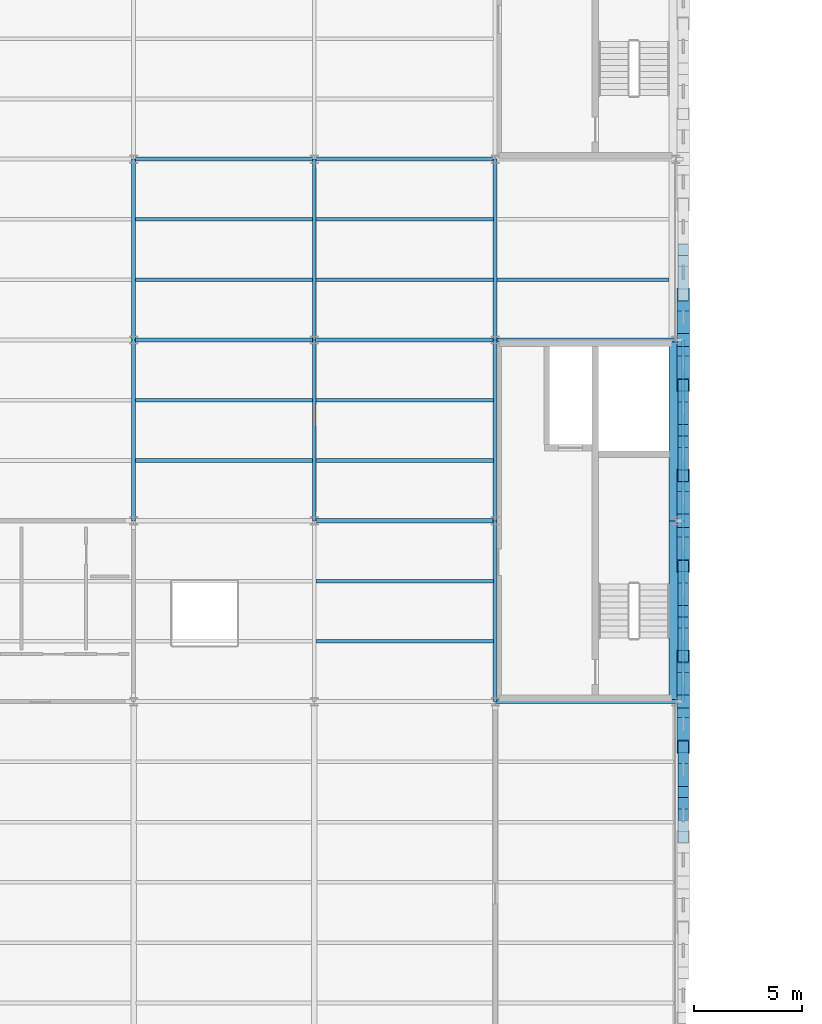
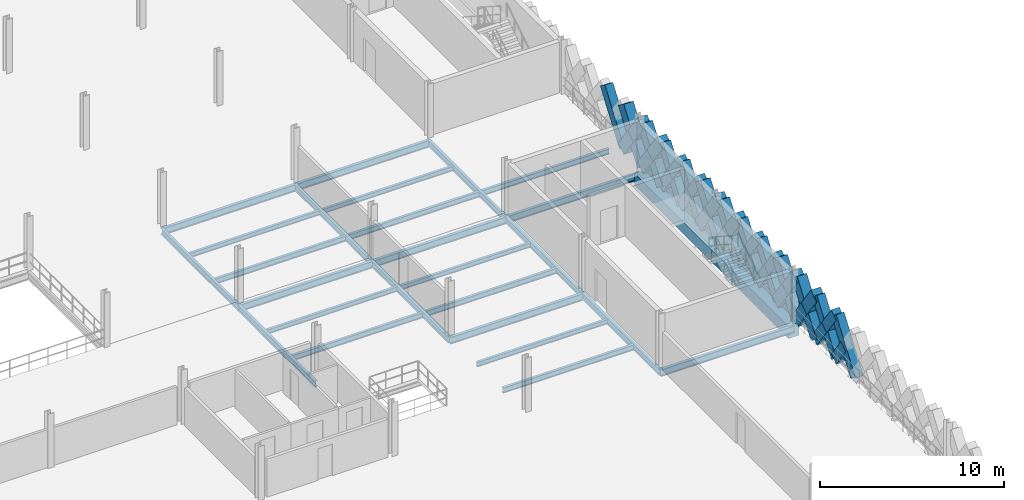
# One storey, part 21 of 62: 38 members, 27 beams.
"""IFC4 building model written with IfcOpenShell, lengths in metres."""

from ifc_helpers import new_model, si_unit, direction, frame, origin, origin_2d, place, context, subcontext, project, spatial, rectangle, hollow_rectangle, i_section, extrude, material, material_profile, profile_set, type_object, element, save


model = new_model("IFC4")

# Units and contexts
model_context = context("Model", 3, precision=1e-05, world=origin(), true_north=direction((0.0, 1.0)))
body_context = subcontext(model_context, "Body", "Model", "MODEL_VIEW")
ifc_project = project(units=[si_unit("LENGTHUNIT", "METRE"), si_unit("AREAUNIT", "SQUARE_METRE"), si_unit("VOLUMEUNIT", "CUBIC_METRE"), si_unit("PLANEANGLEUNIT", "RADIAN"), si_unit("MASSUNIT", "GRAM", prefix="KILO"), si_unit("THERMODYNAMICTEMPERATUREUNIT", "KELVIN"), si_unit("POWERUNIT", "WATT")], contexts=[model_context])

# Site, building, storey
site_placement = place(None, origin())
site = spatial("IfcSite", under=ifc_project, at=site_placement, CompositionType="ELEMENT")
building_placement = place(site_placement, origin())
building = spatial("IfcBuilding", under=site, at=building_placement, Name="Tembeka Court Mobility Hub", CompositionType="ELEMENT")
storey_placement = place(building_placement, frame((0.0, 0.0, 16.199951171875)))
storey = spatial("IfcBuildingStorey", under=building, at=storey_placement, Name="L04", CompositionType="ELEMENT", Elevation=16.199951171875)

# Beams
ifc_material_1 = material(Name="Steel S355", Category="steel")
ifc_material_profile_1 = material_profile(ifc_material_1, i_section(OverallWidth=0.18994140625, OverallDepth=0.45703125, WebThickness=0.009033203125, FlangeThickness=0.014404296875, FilletRadius=0.01025390625, at=origin_2d()), Name="UKB 457x191x74")
ifc_profile_set_1 = profile_set([ifc_material_profile_1], Name="Steel S355")
beam_type_1 = type_object("IfcBeamType", Name="BM-B01", PredefinedType="BEAM", material=ifc_profile_set_1)
for number, where, z_axis, x_axis, name in (
    (1, (84.0, 38.39990234375, -0.448486328125), (1.0, 0.0, 0.0), (0.0, 1.0, 0.0), "Beam B01 (BM-L04-X2231)"),
    (2, (75.60009765625, 46.800048828125, -0.448486328125), (1.0, 0.0, 0.0), (0.0, 1.0, 0.0), "Beam B01 (BM-L04-X2242)"),
):
    element("IfcBeam", number, at=place(storey_placement, frame(where, z_axis=z_axis, x_axis=x_axis)), inside=storey, type_object=beam_type_1, Name=name, PredefinedType="BEAM", context=body_context, shape_type="SweptSolid", body=[
        extrude(i_section(OverallWidth=0.18994140625, OverallDepth=0.45703125, WebThickness=0.009033203125, FlangeThickness=0.014404296875, FilletRadius=0.01025390625, at=origin_2d()), origin(), (0.0, 0.0, 1.0), 8.39990234375),
    ])
beam_1_placement = place(storey_placement, frame((67.199951171875, 55.199951171875, -0.448486328125), z_axis=(1.0, 0.0, 0.0), x_axis=(0.0, 1.0, 0.0)))
element("IfcBeam", 3, at=beam_1_placement, inside=storey, type_object=beam_type_1, Name="Beam B01 (BM-L04-X2253)", PredefinedType="BEAM", context=body_context, shape_type="SweptSolid", body=[
    extrude(i_section(OverallWidth=0.18994140625, OverallDepth=0.45703125, WebThickness=0.009033203125, FlangeThickness=0.014404296875, FilletRadius=0.01025390625, at=origin_2d()), origin(), (0.0, 0.0, 1.0), 8.400146484375),
])
for number, where, z_axis, x_axis, name in (
    (4, (75.60009765625, 55.199951171875, -0.448486328125), (1.0, 0.0, 0.0), (0.0, 1.0, 0.0), "Beam B01 (BM-L04-X2254)"),
    (5, (84.0, 55.199951171875, -0.448486328125), (1.0, 0.0, 0.0), (0.0, 1.0, 0.0), "Beam B01 (BM-L04-X2255)"),
):
    element("IfcBeam", number, at=place(storey_placement, frame(where, z_axis=z_axis, x_axis=x_axis)), inside=storey, type_object=beam_type_1, Name=name, PredefinedType="BEAM", context=body_context, shape_type="SweptSolid", body=[
        extrude(i_section(OverallWidth=0.18994140625, OverallDepth=0.45703125, WebThickness=0.009033203125, FlangeThickness=0.014404296875, FilletRadius=0.01025390625, at=origin_2d()), origin(), (0.0, 0.0, 1.0), 8.39990234375),
    ])
beam_2_placement = place(storey_placement, frame((67.199951171875, 63.60009765625, -0.448486328125), z_axis=(1.0, 0.0, 0.0), x_axis=(0.0, 1.0, 0.0)))
element("IfcBeam", 6, at=beam_2_placement, inside=storey, type_object=beam_type_1, Name="Beam B01 (BM-L04-X2265)", PredefinedType="BEAM", context=body_context, shape_type="SweptSolid", body=[
    extrude(i_section(OverallWidth=0.18994140625, OverallDepth=0.45703125, WebThickness=0.009033203125, FlangeThickness=0.014404296875, FilletRadius=0.01025390625, at=origin_2d()), origin(), (0.0, 0.0, 1.0), 8.400146484375),
])
beam_3_placement = place(storey_placement, frame((75.60009765625, 63.60009765625, -0.448486328125), z_axis=(1.0, 0.0, 0.0), x_axis=(0.0, 1.0, 0.0)))
element("IfcBeam", 7, at=beam_3_placement, inside=storey, type_object=beam_type_1, Name="Beam B01 (BM-L04-X2266)", PredefinedType="BEAM", context=body_context, shape_type="SweptSolid", body=[
    extrude(i_section(OverallWidth=0.18994140625, OverallDepth=0.45703125, WebThickness=0.009033203125, FlangeThickness=0.014404296875, FilletRadius=0.01025390625, at=origin_2d()), origin(), (0.0, 0.0, 1.0), 8.39990234375),
])
ifc_material_profile_2 = material_profile(ifc_material_1, i_section(OverallWidth=0.177978515625, OverallDepth=0.406005859375, WebThickness=0.0078125, FlangeThickness=0.0126953125, FilletRadius=0.01025390625, at=origin_2d()), Name="UKB 406x178x60")
ifc_profile_set_2 = profile_set([ifc_material_profile_2], Name="Steel S355")
beam_type_2 = type_object("IfcBeamType", Name="BM-B02", PredefinedType="BEAM", material=ifc_profile_set_2)
beam_4_placement = place(storey_placement, frame((67.199951171875, 46.800048828125, -0.4228515625), z_axis=(0.0, 1.0, 0.0), x_axis=(-1.0, 0.0, 0.0)))
element("IfcBeam", 8, at=beam_4_placement, inside=storey, type_object=beam_type_2, Name="Beam B02 (BM-L04-Y2384)", PredefinedType="BEAM", context=body_context, shape_type="SweptSolid", body=[
    extrude(i_section(OverallWidth=0.177978515625, OverallDepth=0.406005859375, WebThickness=0.0078125, FlangeThickness=0.0126953125, FilletRadius=0.01025390625, at=origin_2d()), origin(), (0.0, 0.0, 1.0), 8.39990234375),
])
beam_5_placement = place(storey_placement, frame((67.199951171875, 55.199951171875, -0.4228515625), z_axis=(0.0, 1.0, 0.0), x_axis=(-1.0, 0.0, 0.0)))
element("IfcBeam", 9, at=beam_5_placement, inside=storey, type_object=beam_type_2, Name="Beam B02 (BM-L04-Y2385)", PredefinedType="BEAM", context=body_context, shape_type="SweptSolid", body=[
    extrude(i_section(OverallWidth=0.177978515625, OverallDepth=0.406005859375, WebThickness=0.0078125, FlangeThickness=0.0126953125, FilletRadius=0.01025390625, at=origin_2d()), origin(), (0.0, 0.0, 1.0), 8.400146484375),
])
beam_6_placement = place(storey_placement, frame((75.60009765625, 46.800048828125, -0.4228515625), z_axis=(0.0, 1.0, 0.0), x_axis=(-1.0, 0.0, 0.0)))
element("IfcBeam", 10, at=beam_6_placement, inside=storey, type_object=beam_type_2, Name="Beam B02 (BM-L04-Y2391)", PredefinedType="BEAM", context=body_context, shape_type="SweptSolid", body=[
    extrude(i_section(OverallWidth=0.177978515625, OverallDepth=0.406005859375, WebThickness=0.0078125, FlangeThickness=0.0126953125, FilletRadius=0.01025390625, at=origin_2d()), origin(), (0.0, 0.0, 1.0), 8.39990234375),
])
for number, where, z_axis, x_axis, name in (
    (11, (75.60009765625, 55.199951171875, -0.4228515625), (0.0, 1.0, 0.0), (-1.0, 0.0, 0.0), "Beam B02 (BM-L04-Y2392)"),
    (12, (84.0, 38.39990234375, -0.4228515625), (0.0, 1.0, 0.0), (-1.0, 0.0, 0.0), "Beam B02 (BM-L04-Y2399)"),
):
    element("IfcBeam", number, at=place(storey_placement, frame(where, z_axis=z_axis, x_axis=x_axis)), inside=storey, type_object=beam_type_2, Name=name, PredefinedType="BEAM", context=body_context, shape_type="SweptSolid", body=[
        extrude(i_section(OverallWidth=0.177978515625, OverallDepth=0.406005859375, WebThickness=0.0078125, FlangeThickness=0.0126953125, FilletRadius=0.01025390625, at=origin_2d()), origin(), (0.0, 0.0, 1.0), 8.400146484375),
    ])
beam_7_placement = place(storey_placement, frame((84.0, 46.800048828125, -0.4228515625), z_axis=(0.0, 1.0, 0.0), x_axis=(-1.0, 0.0, 0.0)))
element("IfcBeam", 13, at=beam_7_placement, inside=storey, type_object=beam_type_2, Name="Beam B02 (BM-L04-Y2400)", PredefinedType="BEAM", context=body_context, shape_type="SweptSolid", body=[
    extrude(i_section(OverallWidth=0.177978515625, OverallDepth=0.406005859375, WebThickness=0.0078125, FlangeThickness=0.0126953125, FilletRadius=0.01025390625, at=origin_2d()), origin(), (0.0, 0.0, 1.0), 8.39990234375),
])
beam_8_placement = place(storey_placement, frame((84.0, 55.199951171875, -0.4228515625), z_axis=(0.0, 1.0, 0.0), x_axis=(-1.0, 0.0, 0.0)))
element("IfcBeam", 14, at=beam_8_placement, inside=storey, type_object=beam_type_2, Name="Beam B02 (BM-L04-Y2401)", PredefinedType="BEAM", context=body_context, shape_type="SweptSolid", body=[
    extrude(i_section(OverallWidth=0.177978515625, OverallDepth=0.406005859375, WebThickness=0.0078125, FlangeThickness=0.0126953125, FilletRadius=0.01025390625, at=origin_2d()), origin(), (0.0, 0.0, 1.0), 8.400146484375),
])
ifc_material_profile_3 = material_profile(ifc_material_1, i_section(OverallWidth=0.1650390625, OverallDepth=0.303955078125, WebThickness=0.006103515625, FlangeThickness=0.01025390625, FilletRadius=0.0087890625, at=origin_2d()), Name="UKB 305x165x40")
ifc_profile_set_3 = profile_set([ifc_material_profile_3], Name="Steel S355")
beam_type_3 = type_object("IfcBeamType", Name="BM-J02", PredefinedType="JOIST", material=ifc_profile_set_3)
for number, where, z_axis, x_axis, name in (
    (15, (67.283935546875, 52.39990234375, -0.3720703125), (1.0, 0.0, 0.0), (0.0, 1.0, 0.0), "Beam J02 (JST-L04-2590)"),
    (16, (67.283935546875, 60.800048828125, -0.3720703125), (1.0, 0.0, 0.0), (0.0, 1.0, 0.0), "Beam J02 (JST-L04-2592)"),
):
    element("IfcBeam", number, at=place(storey_placement, frame(where, z_axis=z_axis, x_axis=x_axis)), inside=storey, type_object=beam_type_3, Name=name, PredefinedType="JOIST", context=body_context, shape_type="SweptSolid", body=[
        extrude(i_section(OverallWidth=0.1650390625, OverallDepth=0.303955078125, WebThickness=0.006103515625, FlangeThickness=0.01025390625, FilletRadius=0.0087890625, at=origin_2d()), origin(), (0.0, 0.0, 1.0), 8.232177734375),
    ])
for number, where, z_axis, x_axis, name in (
    (17, (75.68408203125, 44.0, -0.3720703125), (1.0, 0.0, 0.0), (0.0, 1.0, 0.0), "Beam J02 (JST-L04-2608)"),
    (18, (75.68408203125, 52.39990234375, -0.3720703125), (1.0, 0.0, 0.0), (0.0, 1.0, 0.0), "Beam J02 (JST-L04-2610)"),
    (19, (75.68408203125, 60.800048828125, -0.3720703125), (1.0, 0.0, 0.0), (0.0, 1.0, 0.0), "Beam J02 (JST-L04-2612)"),
):
    element("IfcBeam", number, at=place(storey_placement, frame(where, z_axis=z_axis, x_axis=x_axis)), inside=storey, type_object=beam_type_3, Name=name, PredefinedType="JOIST", context=body_context, shape_type="SweptSolid", body=[
        extrude(i_section(OverallWidth=0.1650390625, OverallDepth=0.303955078125, WebThickness=0.006103515625, FlangeThickness=0.01025390625, FilletRadius=0.0087890625, at=origin_2d()), origin(), (0.0, 0.0, 1.0), 8.23193359375),
    ])
ifc_material_profile_4 = material_profile(ifc_material_1, i_section(OverallWidth=0.169921875, OverallDepth=0.360107421875, WebThickness=0.008056640625, FlangeThickness=0.0126953125, FilletRadius=0.01806640625, at=origin_2d()), Name="IPE 360")
ifc_profile_set_4 = profile_set([ifc_material_profile_4], Name="Steel S355")
beam_type_4 = type_object("IfcBeamType", Name="BM-J03", PredefinedType="JOIST", material=ifc_profile_set_4)
for number, where, z_axis, x_axis, name in (
    (20, (67.283935546875, 49.60009765625, -0.39990234375), (1.0, 0.0, 0.0), (0.0, 1.0, 0.0), "Beam J03 (JST-L04-2589)"),
    (21, (67.283935546875, 58.0, -0.39990234375), (1.0, 0.0, 0.0), (0.0, 1.0, 0.0), "Beam J03 (JST-L04-2591)"),
):
    element("IfcBeam", number, at=place(storey_placement, frame(where, z_axis=z_axis, x_axis=x_axis)), inside=storey, type_object=beam_type_4, Name=name, PredefinedType="JOIST", context=body_context, shape_type="SweptSolid", body=[
        extrude(i_section(OverallWidth=0.169921875, OverallDepth=0.360107421875, WebThickness=0.008056640625, FlangeThickness=0.0126953125, FilletRadius=0.01806640625, at=origin_2d()), origin(), (0.0, 0.0, 1.0), 8.232177734375),
    ])
for number, where, z_axis, x_axis, name in (
    (22, (75.68408203125, 41.199951171875, -0.39990234375), (1.0, 0.0, 0.0), (0.0, 1.0, 0.0), "Beam J03 (JST-L04-2607)"),
    (23, (75.68408203125, 49.60009765625, -0.39990234375), (1.0, 0.0, 0.0), (0.0, 1.0, 0.0), "Beam J03 (JST-L04-2609)"),
    (24, (75.68408203125, 58.0, -0.39990234375), (1.0, 0.0, 0.0), (0.0, 1.0, 0.0), "Beam J03 (JST-L04-2611)"),
):
    element("IfcBeam", number, at=place(storey_placement, frame(where, z_axis=z_axis, x_axis=x_axis)), inside=storey, type_object=beam_type_4, Name=name, PredefinedType="JOIST", context=body_context, shape_type="SweptSolid", body=[
        extrude(i_section(OverallWidth=0.169921875, OverallDepth=0.360107421875, WebThickness=0.008056640625, FlangeThickness=0.0126953125, FilletRadius=0.01806640625, at=origin_2d()), origin(), (0.0, 0.0, 1.0), 8.23193359375),
    ])
beam_9_placement = place(storey_placement, frame((84.083984375, 58.0, -0.39990234375), z_axis=(1.0, 0.0, 0.0), x_axis=(0.0, 1.0, 0.0)))
element("IfcBeam", 25, at=beam_9_placement, inside=storey, type_object=beam_type_4, Name="Beam J03 (JST-L04-2627)", PredefinedType="JOIST", context=body_context, shape_type="SweptSolid", body=[
    extrude(i_section(OverallWidth=0.169921875, OverallDepth=0.360107421875, WebThickness=0.008056640625, FlangeThickness=0.0126953125, FilletRadius=0.01806640625, at=origin_2d()), origin(), (0.0, 0.0, 1.0), 7.99609375),
])
ifc_material_2 = material(Name="Precast concrete C45/55", Category="concrete")
ifc_material_profile_5 = material_profile(ifc_material_2, rectangle(XDim=0.64990234375, YDim=0.800048828125, at=origin_2d()), Name="PC-SP 650x800")
ifc_profile_set_5 = profile_set([ifc_material_profile_5], Name="Precast concrete C45/55")
beam_type_5 = type_object("IfcBeamType", Name="BM-SP01", PredefinedType="SPANDREL", material=ifc_profile_set_5)
beam_10_placement = place(storey_placement, frame((92.39990234375, 38.39990234375, -0.619873046875), z_axis=(0.0, 1.0, 0.0), x_axis=(-1.0, 0.0, 0.0)))
element("IfcBeam", 26, at=beam_10_placement, inside=storey, type_object=beam_type_5, Name="Beam SP01 (BM-L04-Y2410)", PredefinedType="SPANDREL", context=body_context, shape_type="SweptSolid", body=[
    extrude(rectangle(XDim=0.64990234375, YDim=0.800048828125, at=origin_2d()), origin(), (0.0, 0.0, 1.0), 8.400146484375),
])
beam_11_placement = place(storey_placement, frame((92.39990234375, 46.800048828125, -0.619873046875), z_axis=(0.0, 1.0, 0.0), x_axis=(-1.0, 0.0, 0.0)))
element("IfcBeam", 27, at=beam_11_placement, inside=storey, type_object=beam_type_5, Name="Beam SP01 (BM-L04-Y2411)", PredefinedType="SPANDREL", context=body_context, shape_type="SweptSolid", body=[
    extrude(rectangle(XDim=0.64990234375, YDim=0.800048828125, at=origin_2d()), origin(), (0.0, 0.0, 1.0), 8.39990234375),
])

# Members
ifc_material_profile_6 = material_profile(ifc_material_2, rectangle(XDim=0.5, YDim=0.64990234375, at=origin_2d()), Name="PC-DIAG 500x650")
ifc_profile_set_6 = profile_set([ifc_material_profile_6], Name="Precast concrete C45/55")
member_type_1 = type_object("IfcMemberType", Name="MEM-DL01", PredefinedType="BRACE", material=ifc_profile_set_6)
member_1_placement = place(storey_placement, frame((92.739990234375, 32.10009765625, 0.02001953125), z_axis=(0.0, 0.58253161945, 0.812808041509), x_axis=(-1.0, 0.0, 0.0)))
element("IfcMember", 28, at=member_1_placement, inside=storey, type_object=member_type_1, Name="Precast diamond lattice continuous strand DL01 (L04-748C)", PredefinedType="BRACE", context=body_context, shape_type="SweptSolid", body=[
    extrude(rectangle(XDim=0.5, YDim=0.64990234375, at=origin_2d()), origin(), (0.0, 0.0, 1.0), 3.604736328125),
])
member_2_placement = place(storey_placement, frame((92.739990234375, 34.199951171875, 0.02001953125), z_axis=(0.0, -0.582544294934, 0.812798956963), x_axis=(1.0, 0.0, 0.0)))
element("IfcMember", 29, at=member_2_placement, inside=storey, type_object=member_type_1, Name="Precast diamond lattice split lower strand DL01 (L04-748D1)", PredefinedType="BRACE", context=body_context, shape_type="SweptSolid", body=[
    extrude(rectangle(XDim=0.5, YDim=0.64990234375, at=origin_2d()), origin(), (0.0, 0.0, 1.0), 1.802490234375),
])
member_3_placement = place(storey_placement, frame((92.739990234375, 34.199951171875, 0.02001953125), z_axis=(0.0, 0.582576362011, 0.812775973086), x_axis=(-1.0, 0.0, 0.0)))
element("IfcMember", 30, at=member_3_placement, inside=storey, type_object=member_type_1, Name="Precast diamond lattice continuous strand DL01 (L04-749C)", PredefinedType="BRACE", context=body_context, shape_type="SweptSolid", body=[
    extrude(rectangle(XDim=0.5, YDim=0.64990234375, at=origin_2d()), origin(), (0.0, 0.0, 1.0), 3.604736328125),
])
member_4_placement = place(storey_placement, frame((92.739990234375, 36.300048828125, 0.02001953125), z_axis=(0.0, -0.582544294934, 0.812798956963), x_axis=(1.0, 0.0, 0.0)))
element("IfcMember", 31, at=member_4_placement, inside=storey, type_object=member_type_1, Name="Precast diamond lattice split lower strand DL01 (L04-749D1)", PredefinedType="BRACE", context=body_context, shape_type="SweptSolid", body=[
    extrude(rectangle(XDim=0.5, YDim=0.64990234375, at=origin_2d()), origin(), (0.0, 0.0, 1.0), 1.802490234375),
])
member_5_placement = place(storey_placement, frame((92.739990234375, 35.25, 1.485107421875), z_axis=(0.0, -0.582608431711, 0.812752985414), x_axis=(1.0, 0.0, 0.0)))
element("IfcMember", 32, at=member_5_placement, inside=storey, type_object=member_type_1, Name="Precast diamond lattice split upper strand DL01 (L04-749D2)", PredefinedType="BRACE", context=body_context, shape_type="SweptSolid", body=[
    extrude(rectangle(XDim=0.5, YDim=0.64990234375, at=origin_2d()), origin(), (0.0, 0.0, 1.0), 1.80224609375),
])
member_6_placement = place(storey_placement, frame((92.739990234375, 40.5, 0.02001953125), z_axis=(0.0, 0.582576362011, 0.812775973086), x_axis=(-1.0, 0.0, 0.0)))
element("IfcMember", 33, at=member_6_placement, inside=storey, type_object=member_type_1, Name="Precast diamond lattice continuous strand DL01 (L04-752C)", PredefinedType="BRACE", context=body_context, shape_type="SweptSolid", body=[
    extrude(rectangle(XDim=0.5, YDim=0.64990234375, at=origin_2d()), origin(), (0.0, 0.0, 1.0), 3.604736328125),
])
member_7_placement = place(storey_placement, frame((92.739990234375, 42.60009765625, 0.02001953125), z_axis=(0.0, -0.582544294934, 0.812798956963), x_axis=(1.0, 0.0, 0.0)))
element("IfcMember", 34, at=member_7_placement, inside=storey, type_object=member_type_1, Name="Precast diamond lattice split lower strand DL01 (L04-752D1)", PredefinedType="BRACE", context=body_context, shape_type="SweptSolid", body=[
    extrude(rectangle(XDim=0.5, YDim=0.64990234375, at=origin_2d()), origin(), (0.0, 0.0, 1.0), 1.802490234375),
])
member_8_placement = place(storey_placement, frame((92.739990234375, 41.550048828125, 1.485107421875), z_axis=(0.0, -0.582608431711, 0.812752985414), x_axis=(1.0, 0.0, 0.0)))
element("IfcMember", 35, at=member_8_placement, inside=storey, type_object=member_type_1, Name="Precast diamond lattice split upper strand DL01 (L04-752D2)", PredefinedType="BRACE", context=body_context, shape_type="SweptSolid", body=[
    extrude(rectangle(XDim=0.5, YDim=0.64990234375, at=origin_2d()), origin(), (0.0, 0.0, 1.0), 1.80224609375),
])
member_9_placement = place(storey_placement, frame((92.739990234375, 42.60009765625, 0.02001953125), z_axis=(0.0, 0.58253161945, 0.812808041509), x_axis=(-1.0, 0.0, 0.0)))
element("IfcMember", 36, at=member_9_placement, inside=storey, type_object=member_type_1, Name="Precast diamond lattice continuous strand DL01 (L04-753C)", PredefinedType="BRACE", context=body_context, shape_type="SweptSolid", body=[
    extrude(rectangle(XDim=0.5, YDim=0.64990234375, at=origin_2d()), origin(), (0.0, 0.0, 1.0), 3.604736328125),
])
member_10_placement = place(storey_placement, frame((92.739990234375, 44.699951171875, 0.02001953125), z_axis=(0.0, -0.582544294934, 0.812798956963), x_axis=(1.0, 0.0, 0.0)))
element("IfcMember", 37, at=member_10_placement, inside=storey, type_object=member_type_1, Name="Precast diamond lattice split lower strand DL01 (L04-753D1)", PredefinedType="BRACE", context=body_context, shape_type="SweptSolid", body=[
    extrude(rectangle(XDim=0.5, YDim=0.64990234375, at=origin_2d()), origin(), (0.0, 0.0, 1.0), 1.802490234375),
])
member_11_placement = place(storey_placement, frame((92.739990234375, 43.64990234375, 1.485107421875), z_axis=(0.0, -0.582518941428, 0.812817127574), x_axis=(1.0, 0.0, 0.0)))
element("IfcMember", 38, at=member_11_placement, inside=storey, type_object=member_type_1, Name="Precast diamond lattice split upper strand DL01 (L04-753D2)", PredefinedType="BRACE", context=body_context, shape_type="SweptSolid", body=[
    extrude(rectangle(XDim=0.5, YDim=0.64990234375, at=origin_2d()), origin(), (0.0, 0.0, 1.0), 1.80224609375),
])
member_12_placement = place(storey_placement, frame((92.739990234375, 48.89990234375, 0.02001953125), z_axis=(0.0, 0.582576362011, 0.812775973086), x_axis=(-1.0, 0.0, 0.0)))
element("IfcMember", 39, at=member_12_placement, inside=storey, type_object=member_type_1, Name="Precast diamond lattice continuous strand DL01 (L04-756C)", PredefinedType="BRACE", context=body_context, shape_type="SweptSolid", body=[
    extrude(rectangle(XDim=0.5, YDim=0.64990234375, at=origin_2d()), origin(), (0.0, 0.0, 1.0), 3.604736328125),
])
member_13_placement = place(storey_placement, frame((92.739990234375, 51.0, 0.02001953125), z_axis=(0.0, -0.582544294934, 0.812798956963), x_axis=(1.0, 0.0, 0.0)))
element("IfcMember", 40, at=member_13_placement, inside=storey, type_object=member_type_1, Name="Precast diamond lattice split lower strand DL01 (L04-756D1)", PredefinedType="BRACE", context=body_context, shape_type="SweptSolid", body=[
    extrude(rectangle(XDim=0.5, YDim=0.64990234375, at=origin_2d()), origin(), (0.0, 0.0, 1.0), 1.802490234375),
])
member_14_placement = place(storey_placement, frame((92.739990234375, 49.949951171875, 1.485107421875), z_axis=(0.0, -0.582608431711, 0.812752985414), x_axis=(1.0, 0.0, 0.0)))
element("IfcMember", 41, at=member_14_placement, inside=storey, type_object=member_type_1, Name="Precast diamond lattice split upper strand DL01 (L04-756D2)", PredefinedType="BRACE", context=body_context, shape_type="SweptSolid", body=[
    extrude(rectangle(XDim=0.5, YDim=0.64990234375, at=origin_2d()), origin(), (0.0, 0.0, 1.0), 1.80224609375),
])
member_15_placement = place(storey_placement, frame((92.739990234375, 51.0, 0.02001953125), z_axis=(0.0, 0.582576362011, 0.812775973086), x_axis=(-1.0, 0.0, 0.0)))
element("IfcMember", 42, at=member_15_placement, inside=storey, type_object=member_type_1, Name="Precast diamond lattice continuous strand DL01 (L04-757C)", PredefinedType="BRACE", context=body_context, shape_type="SweptSolid", body=[
    extrude(rectangle(XDim=0.5, YDim=0.64990234375, at=origin_2d()), origin(), (0.0, 0.0, 1.0), 3.604736328125),
])
member_16_placement = place(storey_placement, frame((92.739990234375, 53.10009765625, 0.02001953125), z_axis=(0.0, -0.582544294934, 0.812798956963), x_axis=(1.0, 0.0, 0.0)))
element("IfcMember", 43, at=member_16_placement, inside=storey, type_object=member_type_1, Name="Precast diamond lattice split lower strand DL01 (L04-757D1)", PredefinedType="BRACE", context=body_context, shape_type="SweptSolid", body=[
    extrude(rectangle(XDim=0.5, YDim=0.64990234375, at=origin_2d()), origin(), (0.0, 0.0, 1.0), 1.802490234375),
])
member_17_placement = place(storey_placement, frame((92.739990234375, 52.050048828125, 1.485107421875), z_axis=(0.0, -0.582608431711, 0.812752985414), x_axis=(1.0, 0.0, 0.0)))
element("IfcMember", 44, at=member_17_placement, inside=storey, type_object=member_type_1, Name="Precast diamond lattice split upper strand DL01 (L04-757D2)", PredefinedType="BRACE", context=body_context, shape_type="SweptSolid", body=[
    extrude(rectangle(XDim=0.5, YDim=0.64990234375, at=origin_2d()), origin(), (0.0, 0.0, 1.0), 1.80224609375),
])
member_18_placement = place(storey_placement, frame((92.739990234375, 57.300048828125, 0.02001953125), z_axis=(0.0, 0.58253161945, 0.812808041509), x_axis=(-1.0, 0.0, 0.0)))
element("IfcMember", 45, at=member_18_placement, inside=storey, type_object=member_type_1, Name="Precast diamond lattice continuous strand DL01 (L04-760C)", PredefinedType="BRACE", context=body_context, shape_type="SweptSolid", body=[
    extrude(rectangle(XDim=0.5, YDim=0.64990234375, at=origin_2d()), origin(), (0.0, 0.0, 1.0), 3.604736328125),
])
ifc_material_profile_7 = material_profile(ifc_material_2, rectangle(XDim=0.60009765625, YDim=0.75, at=origin_2d()), Name="PC-DIAG 600x750")
ifc_profile_set_7 = profile_set([ifc_material_profile_7], Name="Precast concrete C45/55")
member_type_2 = type_object("IfcMemberType", Name="MEM-DL02", PredefinedType="BRACE", material=ifc_profile_set_7)
member_19_placement = place(storey_placement, frame((92.739990234375, 36.300048828125, 0.02001953125), z_axis=(0.0, 0.58253161945, 0.812808041509), x_axis=(-1.0, 0.0, 0.0)))
element("IfcMember", 46, at=member_19_placement, inside=storey, type_object=member_type_2, Name="Precast diamond lattice continuous strand DL02 (L04-750C)", PredefinedType="BRACE", context=body_context, shape_type="SweptSolid", body=[
    extrude(rectangle(XDim=0.60009765625, YDim=0.75, at=origin_2d()), origin(), (0.0, 0.0, 1.0), 3.604736328125),
])
member_20_placement = place(storey_placement, frame((92.739990234375, 38.39990234375, 0.02001953125), z_axis=(0.0, -0.582454804382, 0.812863088627), x_axis=(1.0, 0.0, 0.0)))
element("IfcMember", 47, at=member_20_placement, inside=storey, type_object=member_type_2, Name="Precast diamond lattice split lower strand DL02 (L04-750D1)", PredefinedType="BRACE", context=body_context, shape_type="SweptSolid", body=[
    extrude(rectangle(XDim=0.60009765625, YDim=0.75, at=origin_2d()), origin(), (0.0, 0.0, 1.0), 1.802490234375),
])
member_21_placement = place(storey_placement, frame((92.739990234375, 37.35009765625, 1.485107421875), z_axis=(0.0, -0.582608431711, 0.812752985414), x_axis=(1.0, 0.0, 0.0)))
element("IfcMember", 48, at=member_21_placement, inside=storey, type_object=member_type_2, Name="Precast diamond lattice split upper strand DL02 (L04-750D2)", PredefinedType="BRACE", context=body_context, shape_type="SweptSolid", body=[
    extrude(rectangle(XDim=0.60009765625, YDim=0.75, at=origin_2d()), origin(), (0.0, 0.0, 1.0), 1.80224609375),
])
member_22_placement = place(storey_placement, frame((92.739990234375, 38.39990234375, 0.02001953125), z_axis=(0.0, 0.582576362011, 0.812775973086), x_axis=(-1.0, 0.0, 0.0)))
element("IfcMember", 49, at=member_22_placement, inside=storey, type_object=member_type_2, Name="Precast diamond lattice continuous strand DL02 (L04-751C)", PredefinedType="BRACE", context=body_context, shape_type="SweptSolid", body=[
    extrude(rectangle(XDim=0.60009765625, YDim=0.75, at=origin_2d()), origin(), (0.0, 0.0, 1.0), 3.604736328125),
])
member_23_placement = place(storey_placement, frame((92.739990234375, 40.5, 0.02001953125), z_axis=(0.0, -0.582544294934, 0.812798956963), x_axis=(1.0, 0.0, 0.0)))
element("IfcMember", 50, at=member_23_placement, inside=storey, type_object=member_type_2, Name="Precast diamond lattice split lower strand DL02 (L04-751D1)", PredefinedType="BRACE", context=body_context, shape_type="SweptSolid", body=[
    extrude(rectangle(XDim=0.60009765625, YDim=0.75, at=origin_2d()), origin(), (0.0, 0.0, 1.0), 1.802490234375),
])
member_24_placement = place(storey_placement, frame((92.739990234375, 39.449951171875, 1.485107421875), z_axis=(0.0, -0.582608431711, 0.812752985414), x_axis=(1.0, 0.0, 0.0)))
element("IfcMember", 51, at=member_24_placement, inside=storey, type_object=member_type_2, Name="Precast diamond lattice split upper strand DL02 (L04-751D2)", PredefinedType="BRACE", context=body_context, shape_type="SweptSolid", body=[
    extrude(rectangle(XDim=0.60009765625, YDim=0.75, at=origin_2d()), origin(), (0.0, 0.0, 1.0), 1.80224609375),
])
member_25_placement = place(storey_placement, frame((92.739990234375, 44.699951171875, 0.02001953125), z_axis=(0.0, 0.582576362011, 0.812775973086), x_axis=(-1.0, 0.0, 0.0)))
element("IfcMember", 52, at=member_25_placement, inside=storey, type_object=member_type_2, Name="Precast diamond lattice continuous strand DL02 (L04-754C)", PredefinedType="BRACE", context=body_context, shape_type="SweptSolid", body=[
    extrude(rectangle(XDim=0.60009765625, YDim=0.75, at=origin_2d()), origin(), (0.0, 0.0, 1.0), 3.604736328125),
])
member_26_placement = place(storey_placement, frame((92.739990234375, 46.800048828125, 0.02001953125), z_axis=(0.0, -0.582544294934, 0.812798956963), x_axis=(1.0, 0.0, 0.0)))
element("IfcMember", 53, at=member_26_placement, inside=storey, type_object=member_type_2, Name="Precast diamond lattice split lower strand DL02 (L04-754D1)", PredefinedType="BRACE", context=body_context, shape_type="SweptSolid", body=[
    extrude(rectangle(XDim=0.60009765625, YDim=0.75, at=origin_2d()), origin(), (0.0, 0.0, 1.0), 1.802490234375),
])
member_27_placement = place(storey_placement, frame((92.739990234375, 45.75, 1.485107421875), z_axis=(0.0, -0.582608431711, 0.812752985414), x_axis=(1.0, 0.0, 0.0)))
element("IfcMember", 54, at=member_27_placement, inside=storey, type_object=member_type_2, Name="Precast diamond lattice split upper strand DL02 (L04-754D2)", PredefinedType="BRACE", context=body_context, shape_type="SweptSolid", body=[
    extrude(rectangle(XDim=0.60009765625, YDim=0.75, at=origin_2d()), origin(), (0.0, 0.0, 1.0), 1.80224609375),
])
member_28_placement = place(storey_placement, frame((92.739990234375, 46.800048828125, 0.02001953125), z_axis=(0.0, 0.58253161945, 0.812808041509), x_axis=(-1.0, 0.0, 0.0)))
element("IfcMember", 55, at=member_28_placement, inside=storey, type_object=member_type_2, Name="Precast diamond lattice continuous strand DL02 (L04-755C)", PredefinedType="BRACE", context=body_context, shape_type="SweptSolid", body=[
    extrude(rectangle(XDim=0.60009765625, YDim=0.75, at=origin_2d()), origin(), (0.0, 0.0, 1.0), 3.604736328125),
])
member_29_placement = place(storey_placement, frame((92.739990234375, 48.89990234375, 0.02001953125), z_axis=(0.0, -0.582454804382, 0.812863088627), x_axis=(1.0, 0.0, 0.0)))
element("IfcMember", 56, at=member_29_placement, inside=storey, type_object=member_type_2, Name="Precast diamond lattice split lower strand DL02 (L04-755D1)", PredefinedType="BRACE", context=body_context, shape_type="SweptSolid", body=[
    extrude(rectangle(XDim=0.60009765625, YDim=0.75, at=origin_2d()), origin(), (0.0, 0.0, 1.0), 1.802490234375),
])
member_30_placement = place(storey_placement, frame((92.739990234375, 47.85009765625, 1.485107421875), z_axis=(0.0, -0.582608431711, 0.812752985414), x_axis=(1.0, 0.0, 0.0)))
element("IfcMember", 57, at=member_30_placement, inside=storey, type_object=member_type_2, Name="Precast diamond lattice split upper strand DL02 (L04-755D2)", PredefinedType="BRACE", context=body_context, shape_type="SweptSolid", body=[
    extrude(rectangle(XDim=0.60009765625, YDim=0.75, at=origin_2d()), origin(), (0.0, 0.0, 1.0), 1.80224609375),
])
member_31_placement = place(storey_placement, frame((92.739990234375, 53.10009765625, 0.02001953125), z_axis=(0.0, 0.58253161945, 0.812808041509), x_axis=(-1.0, 0.0, 0.0)))
element("IfcMember", 58, at=member_31_placement, inside=storey, type_object=member_type_2, Name="Precast diamond lattice continuous strand DL02 (L04-758C)", PredefinedType="BRACE", context=body_context, shape_type="SweptSolid", body=[
    extrude(rectangle(XDim=0.60009765625, YDim=0.75, at=origin_2d()), origin(), (0.0, 0.0, 1.0), 3.604736328125),
])
member_32_placement = place(storey_placement, frame((92.739990234375, 55.199951171875, 0.02001953125), z_axis=(0.0, -0.582544294934, 0.812798956963), x_axis=(1.0, 0.0, 0.0)))
element("IfcMember", 59, at=member_32_placement, inside=storey, type_object=member_type_2, Name="Precast diamond lattice split lower strand DL02 (L04-758D1)", PredefinedType="BRACE", context=body_context, shape_type="SweptSolid", body=[
    extrude(rectangle(XDim=0.60009765625, YDim=0.75, at=origin_2d()), origin(), (0.0, 0.0, 1.0), 1.802490234375),
])
member_33_placement = place(storey_placement, frame((92.739990234375, 54.14990234375, 1.485107421875), z_axis=(0.0, -0.582518941428, 0.812817127574), x_axis=(1.0, 0.0, 0.0)))
element("IfcMember", 60, at=member_33_placement, inside=storey, type_object=member_type_2, Name="Precast diamond lattice split upper strand DL02 (L04-758D2)", PredefinedType="BRACE", context=body_context, shape_type="SweptSolid", body=[
    extrude(rectangle(XDim=0.60009765625, YDim=0.75, at=origin_2d()), origin(), (0.0, 0.0, 1.0), 1.80224609375),
])
member_34_placement = place(storey_placement, frame((92.739990234375, 55.199951171875, 0.02001953125), z_axis=(0.0, 0.582576362011, 0.812775973086), x_axis=(-1.0, 0.0, 0.0)))
element("IfcMember", 61, at=member_34_placement, inside=storey, type_object=member_type_2, Name="Precast diamond lattice continuous strand DL02 (L04-759C)", PredefinedType="BRACE", context=body_context, shape_type="SweptSolid", body=[
    extrude(rectangle(XDim=0.60009765625, YDim=0.75, at=origin_2d()), origin(), (0.0, 0.0, 1.0), 3.604736328125),
])
member_35_placement = place(storey_placement, frame((92.739990234375, 57.300048828125, 0.02001953125), z_axis=(0.0, -0.582544294934, 0.812798956963), x_axis=(1.0, 0.0, 0.0)))
element("IfcMember", 62, at=member_35_placement, inside=storey, type_object=member_type_2, Name="Precast diamond lattice split lower strand DL02 (L04-759D1)", PredefinedType="BRACE", context=body_context, shape_type="SweptSolid", body=[
    extrude(rectangle(XDim=0.60009765625, YDim=0.75, at=origin_2d()), origin(), (0.0, 0.0, 1.0), 1.802490234375),
])
member_36_placement = place(storey_placement, frame((92.739990234375, 56.25, 1.485107421875), z_axis=(0.0, -0.582608431711, 0.812752985414), x_axis=(1.0, 0.0, 0.0)))
element("IfcMember", 63, at=member_36_placement, inside=storey, type_object=member_type_2, Name="Precast diamond lattice split upper strand DL02 (L04-759D2)", PredefinedType="BRACE", context=body_context, shape_type="SweptSolid", body=[
    extrude(rectangle(XDim=0.60009765625, YDim=0.75, at=origin_2d()), origin(), (0.0, 0.0, 1.0), 1.80224609375),
])
ifc_material_profile_8 = material_profile(ifc_material_1, hollow_rectangle(XDim=0.14990234375, YDim=0.300048828125, WallThickness=0.010009765625, at=origin_2d()), Name="RHS 300x150x10")
ifc_profile_set_8 = profile_set([ifc_material_profile_8], Name="Steel S355")
member_type_3 = type_object("IfcMemberType", Name="MEM-ST03", PredefinedType="STRUT", material=ifc_profile_set_8)
member_37_placement = place(storey_placement, frame((92.739990234375, 38.39990234375, 0.02001953125), z_axis=(0.0, 1.0, 0.0), x_axis=(-1.0, 0.0, 0.0)))
element("IfcMember", 64, at=member_37_placement, inside=storey, type_object=member_type_3, Name="Proud lattice sill tie chord SR03 (L04-E-38)", PredefinedType="STRUT", context=body_context, shape_type="SweptSolid", body=[
    extrude(hollow_rectangle(XDim=0.14990234375, YDim=0.300048828125, WallThickness=0.010009765625, at=origin_2d()), origin(), (0.0, 0.0, 1.0), 8.400146484375),
])
member_38_placement = place(storey_placement, frame((92.739990234375, 46.800048828125, 0.02001953125), z_axis=(0.0, 1.0, 0.0), x_axis=(-1.0, 0.0, 0.0)))
element("IfcMember", 65, at=member_38_placement, inside=storey, type_object=member_type_3, Name="Proud lattice sill tie chord SR03 (L04-E-46)", PredefinedType="STRUT", context=body_context, shape_type="SweptSolid", body=[
    extrude(hollow_rectangle(XDim=0.14990234375, YDim=0.300048828125, WallThickness=0.010009765625, at=origin_2d()), origin(), (0.0, 0.0, 1.0), 8.39990234375),
])

save(model, "model.ifc")
